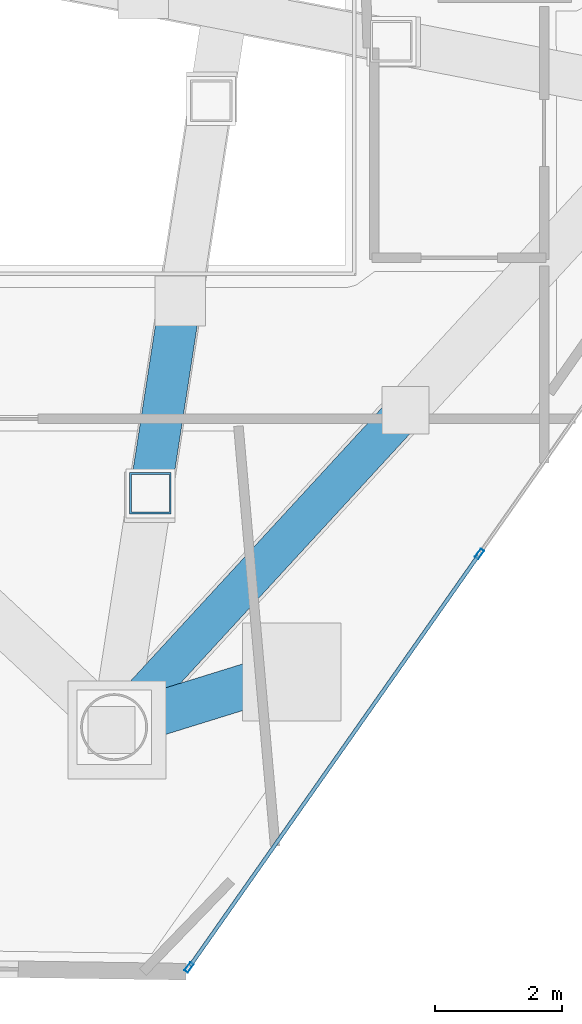
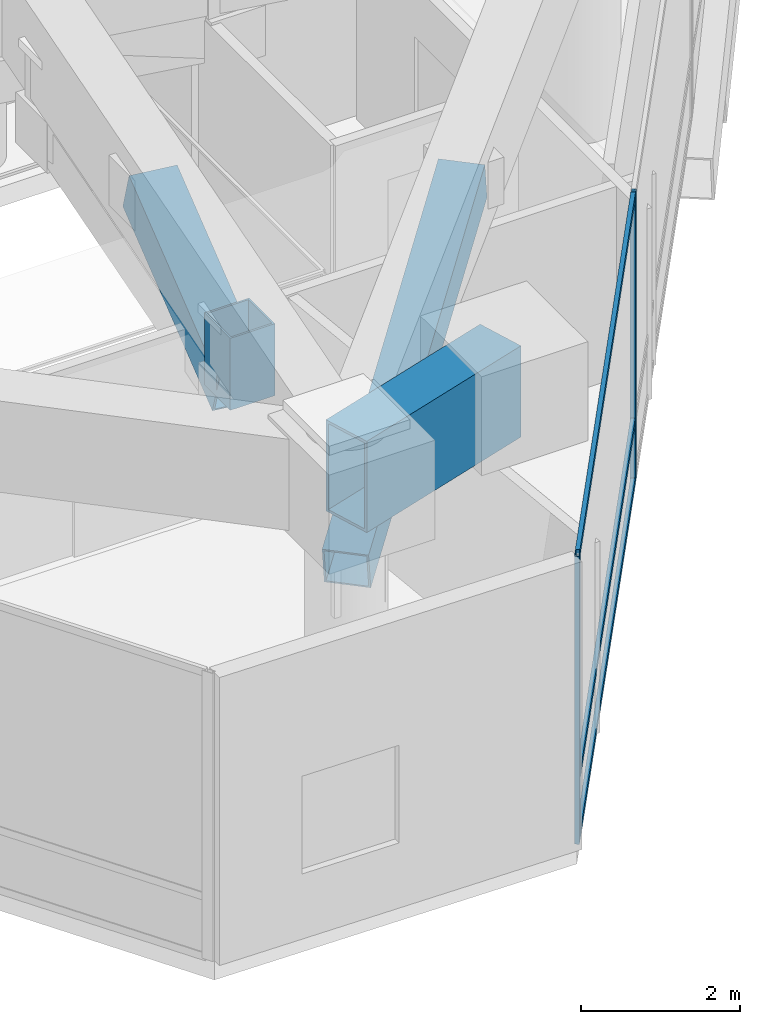
# One storey, part 4 of 21: 8 members, 1 beam, 1 element without a shape of its own.
"""IFC4 building model written with IfcOpenShell, lengths in metres."""

from ifc_helpers import new_model, si_unit, direction, frame, origin, origin_2d, place, context, subcontext, project, spatial, hollow_rectangle, extrude, material, layer, layer_set, material_profile, profile_set, type_object, element, aggregate, save


model = new_model("IFC4")

# Units and contexts
model_context = context("Model", 3, precision=1e-05, world=origin(), true_north=direction((0.0, 1.0)))
body_context = subcontext(model_context, "Body", "Model", "MODEL_VIEW")
ifc_project = project(units=[si_unit("LENGTHUNIT", "METRE"), si_unit("AREAUNIT", "SQUARE_METRE"), si_unit("VOLUMEUNIT", "CUBIC_METRE"), si_unit("PLANEANGLEUNIT", "RADIAN"), si_unit("MASSUNIT", "GRAM", prefix="KILO")], contexts=[model_context])

# Site, building, storey
site_placement = place(None, origin())
site = spatial("IfcSite", under=ifc_project, at=site_placement, CompositionType="ELEMENT")
building_placement = place(site_placement, origin())
building = spatial("IfcBuilding", under=site, at=building_placement, Name="Qianvela Tower", CompositionType="ELEMENT")
storey_placement = place(building_placement, frame((0.0, 0.0, 276.0)))
storey = spatial("IfcBuildingStorey", under=building, at=storey_placement, Name="L71", CompositionType="ELEMENT", Elevation=276.0)

# Beam
ifc_material_1 = material(Name="Steel Q420GJC", Category="steel")
ifc_material_profile_1 = material_profile(ifc_material_1, hollow_rectangle(XDim=0.699951171875, YDim=1.39990234375, WallThickness=0.0400390625, at=origin_2d()), Name="TG-BOX-1400x700x40")
ifc_profile_set_1 = profile_set([ifc_material_profile_1], Name="Steel Q420GJC")
beam_type = type_object("IfcBeamType", Name="BM-TG-STEP-1400", PredefinedType="BEAM", material=ifc_profile_set_1)
beam_placement = place(storey_placement, frame((36.368896484375, 10.741943359375, 3.718017578125), z_axis=(0.955101688707, 0.296278187231, 0.0), x_axis=(-0.296278187231, 0.955101688707, 0.0)))
element("IfcBeam", 1, at=beam_placement, inside=storey, type_object=beam_type, Name="L71 Zone-Step Transfer Girder 5", PredefinedType="BEAM", context=body_context, shape_type="SweptSolid", body=[
    extrude(hollow_rectangle(XDim=0.699951171875, YDim=1.39990234375, WallThickness=0.0400390625, at=origin_2d()), origin(), (0.0, 0.0, 1.0), 2.855224609375),
])

# Curtain wall, members
ifc_material_2 = material(Name="Anodised Architectural Aluminium and Low-E Glass", Category="aluminium")
ifc_layer = layer(ifc_material_2, 0.159912109375)
ifc_layer_set = layer_set([ifc_layer], Name="Anodised Architectural Aluminium and Low-E Glass")
curtain_wall_type = type_object("IfcCurtainWallType", Name="CW-COLIV-Z56", PredefinedType="USERDEFINED", material=ifc_layer_set)
curtain_wall_placement = place(storey_placement, origin())
curtain_wall = element("IfcCurtainWall", 2, at=curtain_wall_placement, inside=storey, type_object=curtain_wall_type, Name="L71 CW-COLIV-Z56 Curtain Wall 06A", ObjectType="CURTAIN_WALL_SYSTEM", PredefinedType="USERDEFINED")
ifc_material_3 = material(Name="Anodised Architectural Aluminium 6063-T6", Category="aluminium")
ifc_material_profile_2 = material_profile(ifc_material_3, hollow_rectangle(XDim=0.06494140625, YDim=0.159912109375, WallThickness=0.0048828125, at=origin_2d()), Name="ALU-MULL-65x160")
ifc_profile_set_2 = profile_set([ifc_material_profile_2], Name="Anodised Architectural Aluminium 6063-T6")
member_type_1 = type_object("IfcMemberType", Name="CW-COLIV-Z56-MULL", PredefinedType="MULLION", material=ifc_profile_set_2)
member_1_placement = place(storey_placement, frame((37.544921875, 6.969970703125, 0.0), z_axis=(0.0, 0.0, 1.0), x_axis=(-0.818279399872, 0.574820688341, 0.0)))
member_1 = element("IfcMember", 3, at=member_1_placement, type_object=member_type_1, Name="CW-5 mullion 1", PredefinedType="MULLION", context=body_context, shape_type="SweptSolid", body=[
    extrude(hollow_rectangle(XDim=0.06494140625, YDim=0.159912109375, WallThickness=0.0048828125, at=origin_2d()), origin(), (0.0, 0.0, 1.0), 4.419921875),
])
member_2_placement = place(storey_placement, frame((42.104736328125, 13.4609375, 0.0), z_axis=(0.0, 0.0, 1.0), x_axis=(-0.818279399872, 0.574820688341, 0.0)))
member_2 = element("IfcMember", 4, at=member_2_placement, type_object=member_type_1, Name="CW-5 mullion 2", PredefinedType="MULLION", context=body_context, shape_type="SweptSolid", body=[
    extrude(hollow_rectangle(XDim=0.06494140625, YDim=0.159912109375, WallThickness=0.0048828125, at=origin_2d()), origin(), (0.0, 0.0, 1.0), 4.419921875),
])
ifc_material_4 = material(Name="Anodised Architectural Aluminium 6063-T6", Category="aluminium")
ifc_material_profile_3 = material_profile(ifc_material_4, hollow_rectangle(XDim=0.06005859375, YDim=0.114990234375, WallThickness=0.00390625, at=origin_2d()), Name="ALU-TRAN-60x115")
ifc_profile_set_3 = profile_set([ifc_material_profile_3], Name="Anodised Architectural Aluminium 6063-T6")
member_type_2 = type_object("IfcMemberType", Name="CW-COLIV-Z56-TRAN", PredefinedType="USERDEFINED", material=ifc_profile_set_3)
member_3_placement = place(storey_placement, frame((37.563720703125, 6.99658203125, 0.030029296875), z_axis=(0.574829851771, 0.818272962716, 0.0), x_axis=(-0.818272962716, 0.574829851771, 0.0)))
member_3 = element("IfcMember", 5, at=member_3_placement, type_object=member_type_2, Name="CW-5 transom 1.1", ObjectType="TRANSOM", PredefinedType="USERDEFINED", context=body_context, shape_type="SweptSolid", body=[
    extrude(hollow_rectangle(XDim=0.06005859375, YDim=0.114990234375, WallThickness=0.00390625, at=origin_2d()), origin(), (0.0, 0.0, 1.0), 7.867431640625),
])
member_4_placement = place(storey_placement, frame((37.563720703125, 6.99658203125, 0.949951171875), z_axis=(0.574829851771, 0.818272962716, 0.0), x_axis=(-0.818272962716, 0.574829851771, 0.0)))
member_4 = element("IfcMember", 6, at=member_4_placement, type_object=member_type_2, Name="CW-5 transom 1.2", ObjectType="TRANSOM", PredefinedType="USERDEFINED", context=body_context, shape_type="SweptSolid", body=[
    extrude(hollow_rectangle(XDim=0.06005859375, YDim=0.114990234375, WallThickness=0.00390625, at=origin_2d()), origin(), (0.0, 0.0, 1.0), 7.867431640625),
])
member_5_placement = place(storey_placement, frame((37.563720703125, 6.99658203125, 4.389892578125), z_axis=(0.574829851771, 0.818272962716, 0.0), x_axis=(-0.818272962716, 0.574829851771, 0.0)))
member_5 = element("IfcMember", 7, at=member_5_placement, type_object=member_type_2, Name="CW-5 transom 1.3", ObjectType="TRANSOM", PredefinedType="USERDEFINED", context=body_context, shape_type="SweptSolid", body=[
    extrude(hollow_rectangle(XDim=0.06005859375, YDim=0.114990234375, WallThickness=0.00390625, at=origin_2d()), origin(), (0.0, 0.0, 1.0), 7.867431640625),
])
aggregate(curtain_wall, [member_1, member_2, member_3, member_4, member_5])

# Members
ifc_material_5 = material(Name="Steel Q420GJC", Category="steel")
ifc_material_profile_4 = material_profile(ifc_material_5, hollow_rectangle(XDim=0.60009765625, YDim=0.60009765625, WallThickness=0.02490234375, at=origin_2d()), Name="BBOX-600x600x25")
ifc_profile_set_4 = profile_set([ifc_material_profile_4], Name="Steel Q420GJC")
member_type_3 = type_object("IfcMemberType", Name="MBR-BELT-600", PredefinedType="BRACE", material=ifc_profile_set_4)
member_6_placement = place(storey_placement, frame((36.368896484375, 10.741943359375, 2.300048828125), z_axis=(0.662364912627, 0.719969615583, 0.207162919361), x_axis=(-0.735934645062, 0.67705258156, 0.0)))
element("IfcMember", 8, at=member_6_placement, inside=storey, type_object=member_type_3, Name="L71 Perimeter Belt-Truss Web Diagonal 5", PredefinedType="BRACE", context=body_context, shape_type="SweptSolid", body=[
    extrude(hollow_rectangle(XDim=0.60009765625, YDim=0.60009765625, WallThickness=0.02490234375, at=origin_2d()), origin(), (0.0, 0.0, 1.0), 6.8447265625),
])
ifc_material_6 = material(Name="Steel Q420GJC", Category="steel")
ifc_material_profile_5 = material_profile(ifc_material_6, hollow_rectangle(XDim=0.64990234375, YDim=0.64990234375, WallThickness=0.028076171875, at=origin_2d()), Name="OBOX-650x650x28")
ifc_profile_set_5 = profile_set([ifc_material_profile_5], Name="Steel Q420GJC")
member_type_4 = type_object("IfcMemberType", Name="MBR-OUTRIG-650", PredefinedType="BRACE", material=ifc_profile_set_5)
member_7_placement = place(storey_placement, frame((36.937744140625, 14.412109375, 2.613037109375), z_axis=(0.0, 0.0, 1.0), x_axis=(1.0, 0.0, 0.0)))
element("IfcMember", 9, at=member_7_placement, inside=storey, type_object=member_type_4, Name="L71 Radial Outrigger Web Post 5B", PredefinedType="BRACE", context=body_context, shape_type="SweptSolid", body=[
    extrude(hollow_rectangle(XDim=0.64990234375, YDim=0.64990234375, WallThickness=0.028076171875, at=origin_2d()), origin(), (0.0, 0.0, 1.0), 1.10498046875),
])
member_8_placement = place(storey_placement, frame((37.4150390625, 17.49267578125, 3.718017578125), z_axis=(-0.144312623503, -0.931425413487, -0.33409664142), x_axis=(0.988209069018, -0.153110534945, 0.0)))
element("IfcMember", 10, at=member_8_placement, inside=storey, type_object=member_type_4, Name="L71 Radial Outrigger Diagonal 5B", PredefinedType="BRACE", context=body_context, shape_type="SweptSolid", body=[
    extrude(hollow_rectangle(XDim=0.64990234375, YDim=0.64990234375, WallThickness=0.028076171875, at=origin_2d()), origin(), (0.0, 0.0, 1.0), 3.307373046875),
])

save(model, "model.ifc")
